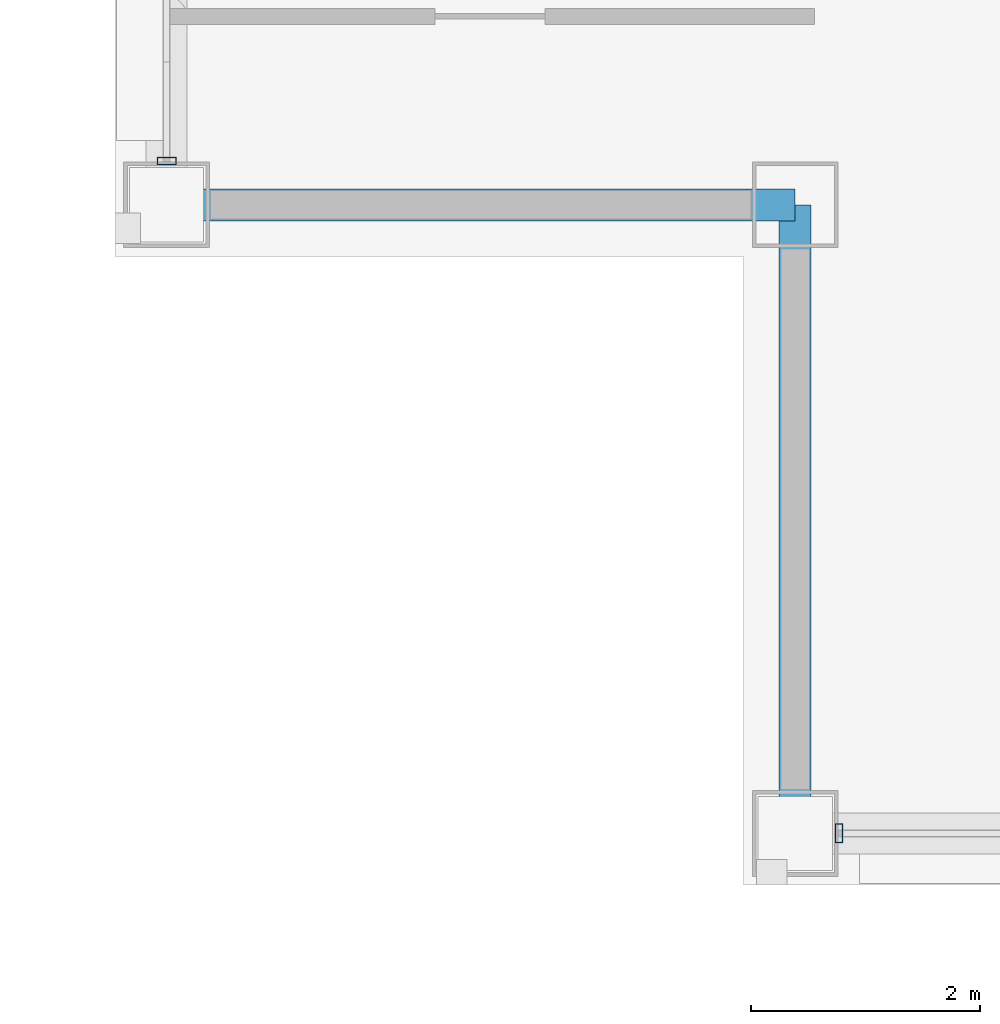
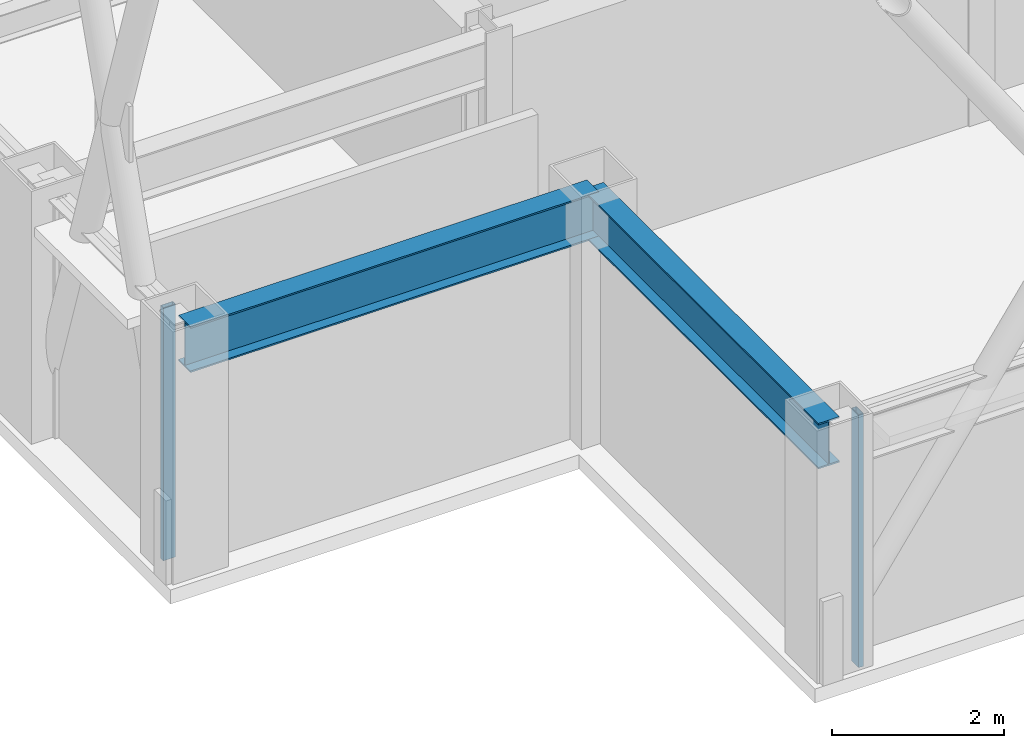
# One storey, part 2 of 30: 2 beams, 2 members, 2 elements without a shape of their own.
"""IFC4 building model written with IfcOpenShell, lengths in metres."""

from ifc_helpers import new_model, si_unit, direction, frame, origin, origin_2d, place, context, subcontext, project, spatial, hollow_rectangle, i_section, extrude, material, layer, layer_set, material_profile, profile_set, type_object, element, aggregate, save


model = new_model("IFC4")

# Units and contexts
model_context = context("Model", 3, precision=1e-05, world=origin(), true_north=direction((0.0, 1.0)))
body_context = subcontext(model_context, "Body", "Model", "MODEL_VIEW")
ifc_project = project(units=[si_unit("LENGTHUNIT", "METRE"), si_unit("AREAUNIT", "SQUARE_METRE"), si_unit("VOLUMEUNIT", "CUBIC_METRE"), si_unit("PLANEANGLEUNIT", "RADIAN"), si_unit("MASSUNIT", "GRAM", prefix="KILO")], contexts=[model_context])

# Site, building, storey
site_placement = place(None, origin())
site = spatial("IfcSite", under=ifc_project, at=site_placement, CompositionType="ELEMENT")
building_placement = place(site_placement, origin())
building = spatial("IfcBuilding", under=site, at=building_placement, Name="Brelmoor Portico Tower", CompositionType="ELEMENT")
storey_placement = place(building_placement, frame((0.0, 0.0, 173.10009765625)))
storey = spatial("IfcBuildingStorey", under=building, at=storey_placement, Name="L45", CompositionType="ELEMENT", Elevation=173.10009765625)

# Beams
ifc_material_1 = material(Name="Steel Q355B", Category="steel")
ifc_material_profile_1 = material_profile(ifc_material_1, i_section(OverallWidth=0.280029296875, OverallDepth=0.64990234375, WebThickness=0.012939453125, FlangeThickness=0.02197265625, at=origin_2d()), Name="HN 650x280x13x22")
ifc_profile_set_1 = profile_set([ifc_material_profile_1], Name="Steel Q355B")
beam_type = type_object("IfcBeamType", Name="BM-SP-650", PredefinedType="SPANDREL", material=ifc_profile_set_1)
for number, where, z_axis, x_axis, name in (
    (1, (-20.550048828125, -13.050048828125, 3.074951171875), (1.0, 0.0, 0.0), (0.0, 1.0, 0.0), "L45 Perimeter Spandrel Beam SP-04"),
    (2, (-15.050048828125, -18.550048828125, 3.074951171875), (0.0, 1.0, 0.0), (-1.0, 0.0, 0.0), "L45 Perimeter Spandrel Beam SP-14"),
):
    element("IfcBeam", number, at=place(storey_placement, frame(where, z_axis=z_axis, x_axis=x_axis)), inside=storey, type_object=beam_type, Name=name, PredefinedType="SPANDREL", context=body_context, shape_type="SweptSolid", body=[
        extrude(i_section(OverallWidth=0.280029296875, OverallDepth=0.64990234375, WebThickness=0.012939453125, FlangeThickness=0.02197265625, at=origin_2d()), origin(), (0.0, 0.0, 1.0), 5.5),
    ])

# Curtain wall, member
ifc_material_2 = material(Name="Anodised Aluminium Alloy 6063-T6", Category="aluminium")
ifc_layer = layer(ifc_material_2, 0.179931640625)
ifc_layer_set = layer_set([ifc_layer], Name="Anodised Aluminium Alloy 6063-T6")
curtain_wall_type = type_object("IfcCurtainWallType", Name="CW-TOWER-Z3-XB", PredefinedType="NOTDEFINED", material=ifc_layer_set)
curtain_wall_1_placement = place(storey_placement, origin())
curtain_wall_1 = element("IfcCurtainWall", 3, at=curtain_wall_1_placement, inside=storey, type_object=curtain_wall_type, Name="L45 Curtain Wall CW-L45-1L-1", PredefinedType="NOTDEFINED")
ifc_material_profile_2 = material_profile(ifc_material_2, hollow_rectangle(XDim=0.06494140625, YDim=0.1650390625, WallThickness=0.00390625, at=origin_2d()), Name="ALU MULLION 65x165")
ifc_profile_set_2 = profile_set([ifc_material_profile_2], Name="Anodised Aluminium Alloy 6063-T6")
member_type = type_object("IfcMemberType", Name="MB-CW-MULL-165", PredefinedType="MULLION", material=ifc_profile_set_2)
member_1_placement = place(storey_placement, frame((-14.6650390625, -18.550048828125, -0.2001953125), z_axis=(0.0, 0.0, 1.0), x_axis=(1.0, 0.0, 0.0)))
member_1 = element("IfcMember", 4, at=member_1_placement, type_object=member_type, Name="CW-L45-1L-1 Mullion 00", PredefinedType="MULLION", context=body_context, shape_type="SweptSolid", body=[
    extrude(hollow_rectangle(XDim=0.06494140625, YDim=0.1650390625, WallThickness=0.00390625, at=origin_2d()), origin(), (0.0, 0.0, 1.0), 3.60009765625),
])
aggregate(curtain_wall_1, [member_1])

curtain_wall_2_placement = place(storey_placement, origin())
curtain_wall_2 = element("IfcCurtainWall", 5, at=curtain_wall_2_placement, inside=storey, type_object=curtain_wall_type, Name="L45 Curtain Wall CW-L45-3L-1", PredefinedType="NOTDEFINED")
member_2_placement = place(storey_placement, frame((-20.550048828125, -12.6650390625, -0.2001953125), z_axis=(0.0, 0.0, 1.0), x_axis=(0.0, 1.0, 0.0)))
member_2 = element("IfcMember", 6, at=member_2_placement, type_object=member_type, Name="CW-L45-3L-1 Mullion 00", PredefinedType="MULLION", context=body_context, shape_type="SweptSolid", body=[
    extrude(hollow_rectangle(XDim=0.06494140625, YDim=0.1650390625, WallThickness=0.00390625, at=origin_2d()), origin(), (0.0, 0.0, 1.0), 3.60009765625),
])
aggregate(curtain_wall_2, [member_2])

save(model, "model.ifc")
